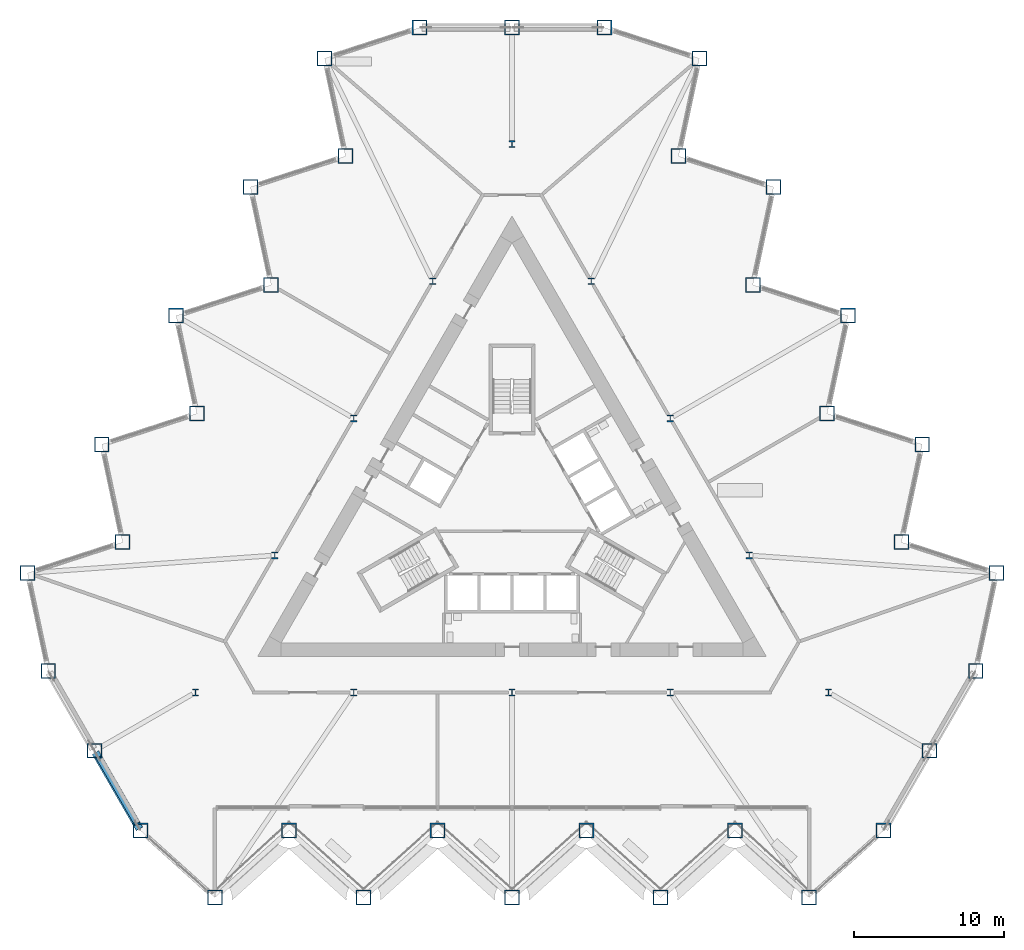
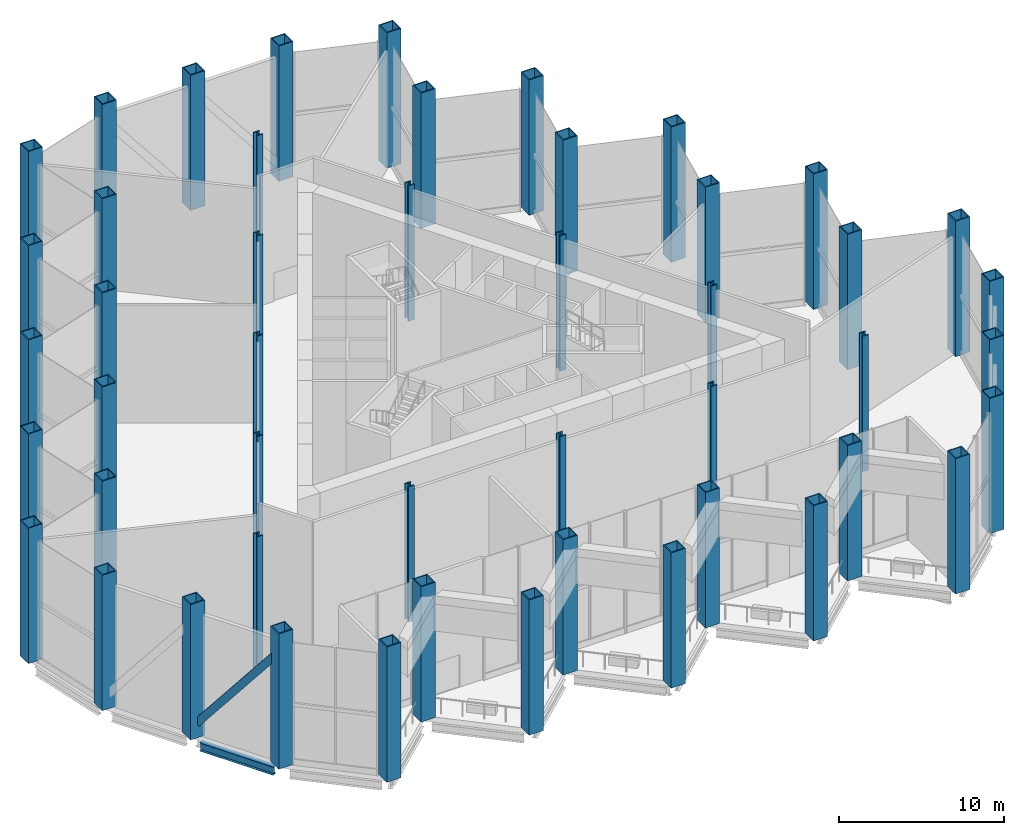
# One storey, part 1 of 17: 48 columns, 1 beam, 1 member.
"""IFC4 building model written with IfcOpenShell, lengths in metres."""

from ifc_helpers import new_model, si_unit, direction, frame, origin, origin_2d, place, context, subcontext, project, spatial, hollow_rectangle, i_section, extrude, material, material_profile, profile_set, type_object, element, save


model = new_model("IFC4")

# Units and contexts
model_context = context("Model", 3, precision=1e-05, world=origin(), true_north=direction((0.0, 1.0)))
body_context = subcontext(model_context, "Body", "Model", "MODEL_VIEW")
ifc_project = project(units=[si_unit("LENGTHUNIT", "METRE"), si_unit("AREAUNIT", "SQUARE_METRE"), si_unit("VOLUMEUNIT", "CUBIC_METRE"), si_unit("PLANEANGLEUNIT", "RADIAN"), si_unit("MASSUNIT", "GRAM", prefix="KILO")], contexts=[model_context])

# Site, building, storey
site_placement = place(None, origin())
site = spatial("IfcSite", under=ifc_project, at=site_placement, CompositionType="ELEMENT")
building_placement = place(site_placement, origin())
building = spatial("IfcBuilding", under=site, at=building_placement, Name="Cormorant Prow Tower", CompositionType="ELEMENT")
storey_placement = place(building_placement, frame((0.0, 0.0, 84.60009765625)))
storey = spatial("IfcBuildingStorey", under=building, at=storey_placement, Name="L18", CompositionType="ELEMENT", Elevation=84.60009765625)

# Columns
ifc_material_1 = material(Name="Structural steel ASTM A572 Gr 50", Category="steel")
ifc_material_profile_1 = material_profile(ifc_material_1, hollow_rectangle(XDim=1.0, YDim=1.0, WallThickness=0.070068359375, at=origin_2d()), Name="Box 1000x1000x70")
ifc_profile_set_1 = profile_set([ifc_material_profile_1], Name="Structural steel ASTM A572 Gr 50")
column_type_1 = type_object("IfcColumnType", Name="Perimeter box column 1000x1000x70", PredefinedType="COLUMN", material=ifc_profile_set_1)
for number, where, z_axis, x_axis, name in (
    (1, (-24.830322265625, -21.4599609375, 0.0), (0.0, 0.0, 1.0), (1.0, 0.0, 0.0), "Perimeter column C2 at S00 L18"),
    (2, (-19.8642578125, -25.931396484375, 0.0), (0.0, 0.0, 1.0), (1.0, 0.0, 0.0), "Perimeter column C2 at S01 L18"),
    (3, (-14.898193359375, -21.4599609375, 0.0), (0.0, 0.0, 1.0), (1.0, 0.0, 0.0), "Perimeter column C2 at S02 L18"),
    (4, (-9.93212890625, -25.931396484375, 0.0), (0.0, 0.0, 1.0), (1.0, 0.0, 0.0), "Perimeter column C2 at S03 L18"),
    (5, (-4.966064453125, -21.4599609375, 0.0), (0.0, 0.0, 1.0), (1.0, 0.0, 0.0), "Perimeter column C2 at S04 L18"),
    (6, (0.0, -25.931396484375, 0.0), (0.0, 0.0, 1.0), (1.0, 0.0, 0.0), "Perimeter column C2 at S05 L18"),
    (7, (4.966064453125, -21.4599609375, 0.0), (0.0, 0.0, 1.0), (1.0, 0.0, 0.0), "Perimeter column C2 at S06 L18"),
    (8, (9.93212890625, -25.931396484375, 0.0), (0.0, 0.0, 1.0), (1.0, 0.0, 0.0), "Perimeter column C2 at S07 L18"),
    (9, (14.898193359375, -21.4599609375, 0.0), (0.0, 0.0, 1.0), (1.0, 0.0, 0.0), "Perimeter column C2 at S08 L18"),
    (10, (19.8642578125, -25.931396484375, 0.0), (0.0, 0.0, 1.0), (1.0, 0.0, 0.0), "Perimeter column C2 at S09 L18"),
    (11, (24.830322265625, -21.4599609375, 0.0), (0.0, 0.0, 1.0), (1.0, 0.0, 0.0), "Perimeter column C2 at ESE00 L18"),
    (12, (27.915283203125, -16.116943359375, 0.0), (0.0, 0.0, 1.0), (1.0, 0.0, 0.0), "Perimeter column C2 at ESE01 L18"),
    (13, (31.0, -10.773681640625, 0.0), (0.0, 0.0, 1.0), (1.0, 0.0, 0.0), "Perimeter column C2 at ENE00 L18"),
    (14, (32.389404296875, -4.2373046875, 0.0), (0.0, 0.0, 1.0), (1.0, 0.0, 0.0), "Perimeter column C2 at ENE01 L18"),
    (15, (26.033935546875, -2.17236328125, 0.0), (0.0, 0.0, 1.0), (1.0, 0.0, 0.0), "Perimeter column C2 at ENE02 L18"),
    (16, (27.42333984375, 4.3642578125, 0.0), (0.0, 0.0, 1.0), (1.0, 0.0, 0.0), "Perimeter column C2 at ENE03 L18"),
    (17, (21.06787109375, 6.42919921875, 0.0), (0.0, 0.0, 1.0), (1.0, 0.0, 0.0), "Perimeter column C2 at ENE04 L18"),
    (18, (22.457275390625, 12.965576171875, 0.0), (0.0, 0.0, 1.0), (1.0, 0.0, 0.0), "Perimeter column C2 at ENE05 L18"),
    (19, (16.101806640625, 15.03076171875, 0.0), (0.0, 0.0, 1.0), (1.0, 0.0, 0.0), "Perimeter column C2 at ENE06 L18"),
    (20, (17.4912109375, 21.567138671875, 0.0), (0.0, 0.0, 1.0), (1.0, 0.0, 0.0), "Perimeter column C2 at ENE07 L18"),
    (21, (11.1357421875, 23.632080078125, 0.0), (0.0, 0.0, 1.0), (1.0, 0.0, 0.0), "Perimeter column C2 at ENE08 L18"),
    (22, (12.525146484375, 30.168701171875, 0.0), (0.0, 0.0, 1.0), (1.0, 0.0, 0.0), "Perimeter column C2 at ENE09 L18"),
    (23, (6.169677734375, 32.233642578125, 0.0), (0.0, 0.0, 1.0), (1.0, 0.0, 0.0), "Perimeter column C2 at N00 L18"),
    (24, (0.0, 32.233642578125, 0.0), (0.0, 0.0, 1.0), (1.0, 0.0, 0.0), "Perimeter column C2 at N01 L18"),
    (25, (-6.169677734375, 32.233642578125, 0.0), (0.0, 0.0, 1.0), (1.0, 0.0, 0.0), "Perimeter column C2 at WNW00 L18"),
    (26, (-12.525146484375, 30.168701171875, 0.0), (0.0, 0.0, 1.0), (1.0, 0.0, 0.0), "Perimeter column C2 at WNW01 L18"),
    (27, (-11.1357421875, 23.632080078125, 0.0), (0.0, 0.0, 1.0), (1.0, 0.0, 0.0), "Perimeter column C2 at WNW02 L18"),
    (28, (-17.4912109375, 21.567138671875, 0.0), (0.0, 0.0, 1.0), (1.0, 0.0, 0.0), "Perimeter column C2 at WNW03 L18"),
    (29, (-16.101806640625, 15.03076171875, 0.0), (0.0, 0.0, 1.0), (1.0, 0.0, 0.0), "Perimeter column C2 at WNW04 L18"),
    (30, (-22.457275390625, 12.965576171875, 0.0), (0.0, 0.0, 1.0), (1.0, 0.0, 0.0), "Perimeter column C2 at WNW05 L18"),
    (31, (-21.06787109375, 6.42919921875, 0.0), (0.0, 0.0, 1.0), (1.0, 0.0, 0.0), "Perimeter column C2 at WNW06 L18"),
    (32, (-27.42333984375, 4.3642578125, 0.0), (0.0, 0.0, 1.0), (1.0, 0.0, 0.0), "Perimeter column C2 at WNW07 L18"),
    (33, (-26.033935546875, -2.17236328125, 0.0), (0.0, 0.0, 1.0), (1.0, 0.0, 0.0), "Perimeter column C2 at WNW08 L18"),
    (34, (-32.389404296875, -4.2373046875, 0.0), (0.0, 0.0, 1.0), (1.0, 0.0, 0.0), "Perimeter column C2 at WNW09 L18"),
    (35, (-31.0, -10.773681640625, 0.0), (0.0, 0.0, 1.0), (1.0, 0.0, 0.0), "Perimeter column C2 at WSW00 L18"),
    (36, (-27.915283203125, -16.116943359375, 0.0), (0.0, 0.0, 1.0), (1.0, 0.0, 0.0), "Perimeter column C2 at WSW01 L18"),
):
    element("IfcColumn", number, at=place(storey_placement, frame(where, z_axis=z_axis, x_axis=x_axis)), inside=storey, type_object=column_type_1, Name=name, PredefinedType="COLUMN", context=body_context, shape_type="SweptSolid", body=[
        extrude(hollow_rectangle(XDim=1.0, YDim=1.0, WallThickness=0.070068359375, at=origin_2d()), origin(), (0.0, 0.0, 1.0), 10.0),
    ])
ifc_material_2 = material(Name="Structural steel ASTM A992 Gr 50", Category="steel")
ifc_material_profile_2 = material_profile(ifc_material_2, i_section(OverallWidth=0.42138671875, OverallDepth=0.464599609375, WebThickness=0.044921875, FlangeThickness=0.072265625, at=origin_2d()), Name="W14x398")
ifc_profile_set_2 = profile_set([ifc_material_profile_2], Name="Structural steel ASTM A992 Gr 50")
column_type_2 = type_object("IfcColumnType", Name="Ring column W14x398", PredefinedType="COLUMN", material=ifc_profile_set_2)
for number, where, z_axis, x_axis, name in (
    (37, (0.0, 24.429931640625, 0.0), (0.0, 0.0, 1.0), (1.0, 0.0, 0.0), "Ring column 1 L18"),
    (38, (-5.289306640625, 15.268798828125, 0.0), (0.0, 0.0, 1.0), (1.0, 0.0, 0.0), "Ring column 2 L18"),
    (39, (-10.578369140625, 6.107421875, 0.0), (0.0, 0.0, 1.0), (1.0, 0.0, 0.0), "Ring column 3 L18"),
    (40, (-15.86767578125, -3.0537109375, 0.0), (0.0, 0.0, 1.0), (1.0, 0.0, 0.0), "Ring column 4 L18"),
    (41, (-21.156982421875, -12.21484375, 0.0), (0.0, 0.0, 1.0), (1.0, 0.0, 0.0), "Ring column 5 L18"),
    (42, (-10.578369140625, -12.21484375, 0.0), (0.0, 0.0, 1.0), (1.0, 0.0, 0.0), "Ring column 6 L18"),
    (43, (0.0, -12.21484375, 0.0), (0.0, 0.0, 1.0), (1.0, 0.0, 0.0), "Ring column 7 L18"),
    (44, (10.578369140625, -12.21484375, 0.0), (0.0, 0.0, 1.0), (1.0, 0.0, 0.0), "Ring column 8 L18"),
    (45, (21.156982421875, -12.21484375, 0.0), (0.0, 0.0, 1.0), (1.0, 0.0, 0.0), "Ring column 9 L18"),
    (46, (15.86767578125, -3.0537109375, 0.0), (0.0, 0.0, 1.0), (1.0, 0.0, 0.0), "Ring column 10 L18"),
    (47, (10.578369140625, 6.107421875, 0.0), (0.0, 0.0, 1.0), (1.0, 0.0, 0.0), "Ring column 11 L18"),
    (48, (5.289306640625, 15.268798828125, 0.0), (0.0, 0.0, 1.0), (1.0, 0.0, 0.0), "Ring column 12 L18"),
):
    element("IfcColumn", number, at=place(storey_placement, frame(where, z_axis=z_axis, x_axis=x_axis)), inside=storey, type_object=column_type_2, Name=name, PredefinedType="COLUMN", context=body_context, shape_type="SweptSolid", body=[
        extrude(i_section(OverallWidth=0.42138671875, OverallDepth=0.464599609375, WebThickness=0.044921875, FlangeThickness=0.072265625, at=origin_2d()), origin(), (0.0, 0.0, 1.0), 10.0),
    ])

# Member
ifc_material_3 = material(Name="Structural steel ASTM A500 Gr C", Category="steel")
ifc_material_profile_3 = material_profile(ifc_material_3, hollow_rectangle(XDim=0.508056640625, YDim=0.508056640625, WallThickness=0.014892578125, at=origin_2d()), Name="HSS20x20x5/8")
ifc_profile_set_3 = profile_set([ifc_material_profile_3], Name="Structural steel ASTM A500 Gr C")
member_type = type_object("IfcMemberType", Name="Chamfer brace HSS20x20x5/8", PredefinedType="BRACE", material=ifc_profile_set_3)
member_placement = place(storey_placement, frame((-27.745849609375, -16.409912109375, 1.027099609375), z_axis=(0.310448273271, -0.537716610936, 0.783889479421), x_axis=(0.866027186878, 0.499996911578, 0.0)))
element("IfcMember", 49, at=member_placement, inside=storey, type_object=member_type, Name="Chamfer brace BR1 at WSW01 L18", PredefinedType="BRACE", context=body_context, shape_type="SweptSolid", body=[
    extrude(hollow_rectangle(XDim=0.508056640625, YDim=0.508056640625, WallThickness=0.014892578125, at=origin_2d()), origin(), (0.0, 0.0, 1.0), 8.846435546875),
])

# Beam
ifc_material_4 = material(Name="Structural steel ASTM A992 Gr 50", Category="steel")
ifc_material_profile_4 = material_profile(ifc_material_4, i_section(OverallWidth=0.32373046875, OverallDepth=0.611083984375, WebThickness=0.0126953125, FlangeThickness=0.01904296875, at=origin_2d()), Name="W24x104")
ifc_profile_set_4 = profile_set([ifc_material_profile_4], Name="Structural steel ASTM A992 Gr 50")
beam_type = type_object("IfcBeamType", Name="Spandrel beam W24x104", PredefinedType="SPANDREL", material=ifc_profile_set_4)
beam_placement = place(storey_placement, frame((-27.665283203125, -16.5498046875, -0.70556640625), z_axis=(0.500019507279, -0.866014140959, 0.0), x_axis=(0.866014140959, 0.500019507279, 0.0)))
element("IfcBeam", 50, at=beam_placement, inside=storey, type_object=beam_type, Name="Spandrel beam SB1 WSW01-S00 L18", PredefinedType="SPANDREL", context=body_context, shape_type="SweptSolid", body=[
    extrude(i_section(OverallWidth=0.32373046875, OverallDepth=0.611083984375, WebThickness=0.0126953125, FlangeThickness=0.01904296875, at=origin_2d()), origin(), (0.0, 0.0, 1.0), 5.169677734375),
])

save(model, "model.ifc")
